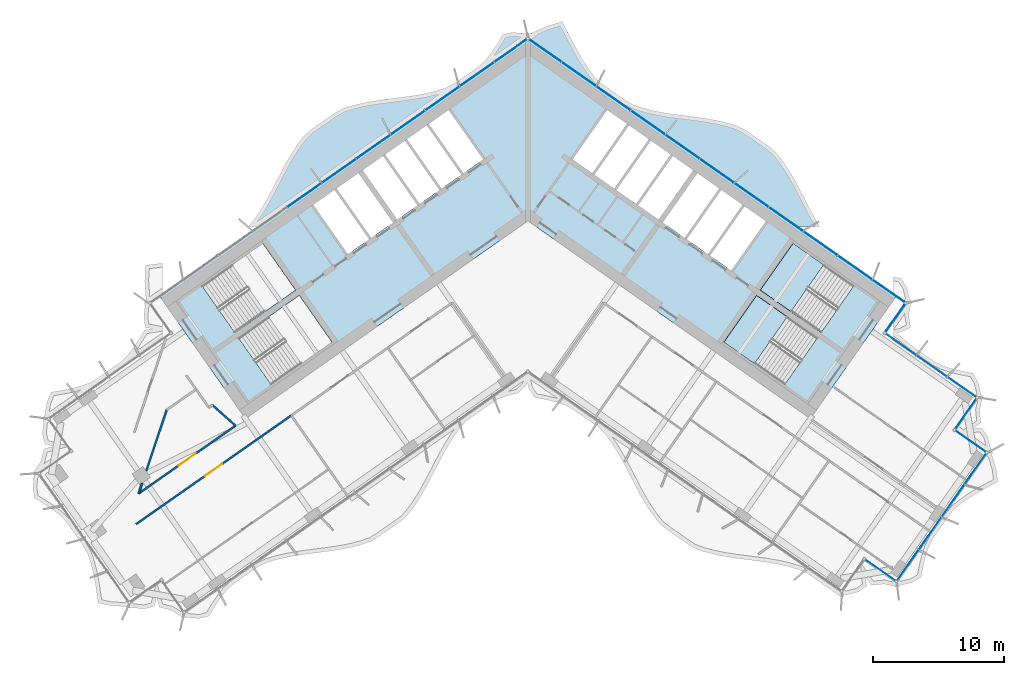
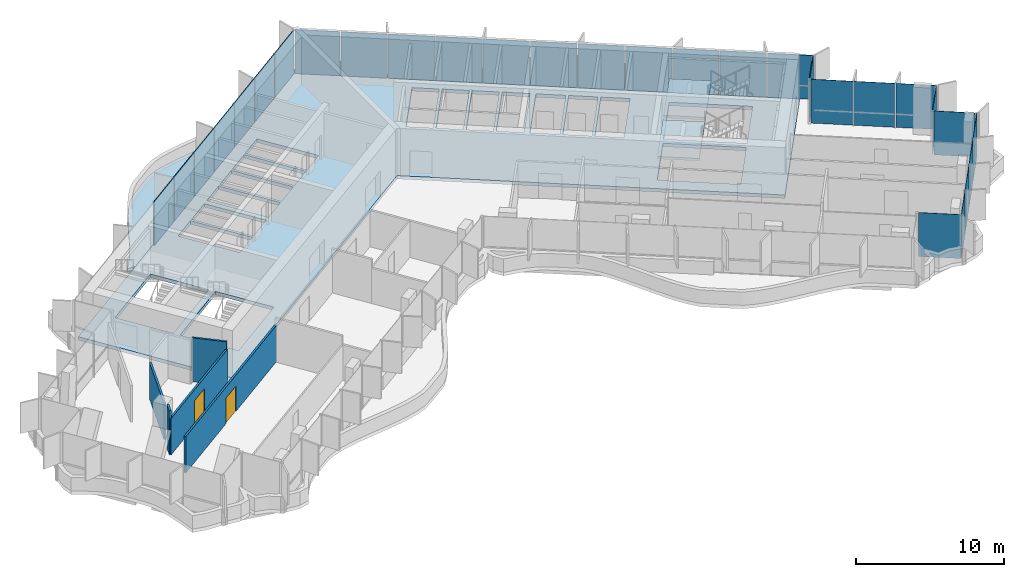
# One storey, part 13 of 23: 29 plates, 5 walls, 4 slabs, 2 doors, 2 openings, 4 elements without a shape of their own.
"""IFC4 building model written with IfcOpenShell, lengths in metres."""

import ifcopenshell
import ifcopenshell.guid

model = None  # the IFC model being written
_history = None  # IfcOwnerHistory: only IFC2X3 demands one
_inside = {}  # id of a spatial element -> (the spatial element, [elements in it])
_under = {}  # id of a project, library or spatial element -> (it, [spatial elements below it])
_declared = {}  # id of a project -> (the project, [libraries it declares])
_typed = {}  # id of a type object -> (the type object, [elements of that type])
_made_of = {}  # id of a material, layer set ... -> (it, [elements and type objects made of it])


def new_model(schema):
    """Start an empty IFC model of exactly this schema.

    Asked for "IFC4X3", IfcOpenShell would pick the latest addendum, in which some entities
    have other attributes; the version numbers below select the first issue.
    IFC2X3 requires an IfcOwnerHistory on every rooted entity: one is made here for all.
    """
    global model, _history
    if schema == "IFC4X3":
        model = ifcopenshell.file(schema_version=(4, 3, 0, 0))
    else:
        model = ifcopenshell.file(schema=schema)
    _inside.clear()
    _under.clear()
    _declared.clear()
    _typed.clear()
    _made_of.clear()
    _history = None
    if model.schema == "IFC2X3":
        org = make("IfcOrganization", Name="unknown")
        user = make(
            "IfcPersonAndOrganization",
            ThePerson=make("IfcPerson", FamilyName="unknown"),
            TheOrganization=org,
        )
        app = make(
            "IfcApplication",
            ApplicationDeveloper=org,
            Version="unknown",
            ApplicationFullName="unknown",
            ApplicationIdentifier="unknown",
        )
        _history = make(
            "IfcOwnerHistory",
            OwningUser=user,
            OwningApplication=app,
            ChangeAction="ADDED",
            CreationDate=0,
        )
    return model


def make(cls, **values):
    """One entity of the class cls with the attributes given. An attribute that is None is left unset."""
    return model.create_entity(
        cls, **{name: value for name, value in values.items() if value is not None}
    )


def rooted(cls, **values):
    """An entity with a GlobalId (a new one), such as an element, a storey or a relation."""
    return make(cls, GlobalId=ifcopenshell.guid.new(), OwnerHistory=_history, **values)


def si_unit(unit_type, name, prefix=None):
    """IfcSIUnit, for example si_unit("LENGTHUNIT", "METRE", prefix="MILLI")."""
    return make("IfcSIUnit", UnitType=unit_type, Prefix=prefix, Name=name)


def assignment(units):
    """IfcUnitAssignment: the units of a project."""
    return None if units is None else make("IfcUnitAssignment", Units=units)


def point(xyz):
    """IfcCartesianPoint."""
    return None if xyz is None else make("IfcCartesianPoint", Coordinates=xyz)


def direction(xyz):
    """IfcDirection."""
    return None if xyz is None else make("IfcDirection", DirectionRatios=xyz)


def frame(location, z_axis=None, x_axis=None):
    """IfcAxis2Placement3D, a coordinate frame: its origin and axes. An axis left out is left unset."""
    return make(
        "IfcAxis2Placement3D",
        Location=point(location),
        Axis=direction(z_axis),
        RefDirection=direction(x_axis),
    )


def frame_2d(location, x_axis=None):
    """IfcAxis2Placement2D, a coordinate frame in the plane: its origin and x axis."""
    return make(
        "IfcAxis2Placement2D", Location=point(location), RefDirection=direction(x_axis)
    )


def origin():
    """The frame at (0, 0, 0) with its axes left unset."""
    return frame((0.0, 0.0, 0.0))


def origin_2d():
    """The frame at (0, 0) in the plane with its x axis left unset."""
    return frame_2d((0.0, 0.0))


def place(relative_to, where):
    """IfcLocalPlacement: puts the frame where relative to a parent placement (None: the world)."""
    return make(
        "IfcLocalPlacement", PlacementRelTo=relative_to, RelativePlacement=where
    )


def context(
    kind, dimensions, precision=None, world=None, true_north=None, identifier=None
):
    """IfcGeometricRepresentationContext, for example the 3D "Model" context."""
    return make(
        "IfcGeometricRepresentationContext",
        ContextIdentifier=identifier,
        ContextType=kind,
        CoordinateSpaceDimension=dimensions,
        Precision=precision,
        WorldCoordinateSystem=world,
        TrueNorth=true_north,
    )


def subcontext(parent, identifier, kind, view, scale=None):
    """IfcGeometricRepresentationSubContext, for example "Body" below "Model"."""
    return make(
        "IfcGeometricRepresentationSubContext",
        ContextIdentifier=identifier,
        ContextType=kind,
        ParentContext=parent,
        TargetScale=scale,
        TargetView=view,
    )


def project(units=None, contexts=None):
    """IfcProject with its units and contexts."""
    return rooted(
        "IfcProject",
        Name="project",
        RepresentationContexts=contexts,
        UnitsInContext=assignment(units),
    )


def spatial(cls, under=None, at=None, **own):
    """A site, building, storey or space (cls), placed at a placement, below another one or the project."""
    s = rooted(cls, ObjectPlacement=at, **own)
    if under is not None:
        _under.setdefault(under.id(), (under, []))[1].append(s)
    return s


def polyline(points):
    """IfcPolyline through the points."""
    return make("IfcPolyline", Points=[point(p) for p in points])


def profile(cls, at=None, kind="AREA", **sizes):
    """A parametric profile (cls). Its sizes go by their IFC names, for example OverallWidth=200.0."""
    return make(cls, ProfileType=kind, Position=at, **sizes)


def rectangle(**sizes):
    """IfcRectangleProfileDef."""
    return profile("IfcRectangleProfileDef", **sizes)


def outline(outer, holes=None, kind="AREA"):
    """IfcArbitraryClosedProfileDef: a profile drawn as a closed curve; with holes, ...WithVoids."""
    if holes is None:
        return make("IfcArbitraryClosedProfileDef", ProfileType=kind, OuterCurve=outer)
    return make(
        "IfcArbitraryProfileDefWithVoids",
        ProfileType=kind,
        OuterCurve=outer,
        InnerCurves=holes,
    )


def extrude(swept, where, along, depth):
    """IfcExtrudedAreaSolid: the profile swept, set in the frame where, extruded along a direction by depth."""
    return make(
        "IfcExtrudedAreaSolid",
        SweptArea=swept,
        Position=where,
        ExtrudedDirection=direction(along),
        Depth=depth,
    )


def shape(context_of_items, identifier, shape_type, items):
    """IfcShapeRepresentation: the items that make up one representation, for example the "Body"."""
    return make(
        "IfcShapeRepresentation",
        ContextOfItems=context_of_items,
        RepresentationIdentifier=identifier,
        RepresentationType=shape_type,
        Items=items,
    )


def material(Name=None, Category=None):
    """IfcMaterial."""
    return make("IfcMaterial", Name=Name, Category=Category)


def layer(
    of_material, thickness, ventilated=None, Name=None, Category=None, Priority=None
):
    """IfcMaterialLayer: one layer of a wall or slab, of a material (None: an air gap)."""
    return make(
        "IfcMaterialLayer",
        Material=of_material,
        LayerThickness=thickness,
        IsVentilated=ventilated,
        Name=Name,
        Category=Category,
        Priority=Priority,
    )


def layer_set(layers, Name=None):
    """IfcMaterialLayerSet."""
    return make("IfcMaterialLayerSet", MaterialLayers=layers, LayerSetName=Name)


def made_of(thing, what):
    """Note that an element or type object is made of a material, layer set ...; save() writes the relation."""
    if what is not None:
        _made_of.setdefault(what.id(), (what, []))[1].append(thing)
    return thing


def type_object(cls, material=None, **own):
    """A type object (cls), such as IfcWallType, which elements share."""
    return made_of(rooted(cls, **own), material)


def element(
    cls,
    number,
    at=None,
    inside=None,
    cuts=None,
    type_object=None,
    material=None,
    context=None,
    identifier="Body",
    shape_type=None,
    held_by="IfcProductDefinitionShape",
    body=None,
    shapes=None,
    **own,
):
    """One element of the class cls, such as IfcWall. Its Tag is "e" and its number.

    at: its placement. inside: the storey or other place that contains it. cuts: it is an
    opening in that element (IfcRelVoidsElement). A single representation is given by context,
    identifier, shape_type and body (its items); several are given by shapes. held_by: the class
    of the entity that holds the representations. save() writes the other relations.
    """
    e = rooted(cls, Tag="e%d" % number, ObjectPlacement=at, **own)
    if body is not None:
        shapes = [shape(context, identifier, shape_type, body)]
    if shapes is not None:
        e.Representation = make(held_by, Representations=shapes)
    if inside is not None:
        _inside.setdefault(inside.id(), (inside, []))[1].append(e)
    if cuts is not None:
        rooted(
            "IfcRelVoidsElement", RelatingBuildingElement=cuts, RelatedOpeningElement=e
        )
    if type_object is not None:
        _typed.setdefault(type_object.id(), (type_object, []))[1].append(e)
    return made_of(e, material)


def fill(opening, filler):
    """IfcRelFillsElement: the door or window that sits in an opening."""
    return rooted(
        "IfcRelFillsElement",
        RelatingOpeningElement=opening,
        RelatedBuildingElement=filler,
    )


def aggregate(whole, parts):
    """IfcRelAggregates: a whole, such as a stair, and the parts it consists of."""
    return rooted("IfcRelAggregates", RelatingObject=whole, RelatedObjects=parts)


def save(model, path):
    """Write the relations noted so far, then the file.

    IfcRelAggregates (storeys below a building ...), IfcRelContainedInSpatialStructure (elements
    in a storey), IfcRelDefinesByType, IfcRelAssociatesMaterial and IfcRelDeclares: one each for
    every whole, place, type object, material and project.
    """
    for whole, parts in _under.values():
        aggregate(whole, parts)
    for where, things in _inside.values():
        rooted(
            "IfcRelContainedInSpatialStructure",
            RelatedElements=things,
            RelatingStructure=where,
        )
    for kind, things in _typed.values():
        rooted("IfcRelDefinesByType", RelatedObjects=things, RelatingType=kind)
    for what, things in _made_of.values():
        rooted("IfcRelAssociatesMaterial", RelatedObjects=things, RelatingMaterial=what)
    for by, libraries in _declared.values():
        rooted("IfcRelDeclares", RelatingContext=by, RelatedDefinitions=libraries)
    model.write(path)


model = new_model("IFC4")

# Units and contexts
model_context = context("Model", 3, precision=1e-05, world=origin(), true_north=direction((0.0, 1.0)))
body_context = subcontext(model_context, "Body", "Model", "MODEL_VIEW")
ifc_project = project(units=[si_unit("LENGTHUNIT", "METRE"), si_unit("AREAUNIT", "SQUARE_METRE"), si_unit("VOLUMEUNIT", "CUBIC_METRE"), si_unit("PLANEANGLEUNIT", "RADIAN"), si_unit("MASSUNIT", "GRAM", prefix="KILO")], contexts=[model_context])

# Site, building, storey
site_placement = place(None, origin())
site = spatial("IfcSite", under=ifc_project, at=site_placement, CompositionType="ELEMENT")
building_placement = place(site_placement, origin())
building = spatial("IfcBuilding", under=site, at=building_placement, Name="Tel Ilan Convention Tower", CompositionType="ELEMENT")
storey_placement = place(building_placement, frame((0.0, 0.0, 198.300048828125)))
storey = spatial("IfcBuildingStorey", under=building, at=storey_placement, Name="L46", CompositionType="ELEMENT", Elevation=198.300048828125)

# Curtain wall, plates
ifc_material_1 = material(Name="Aluminium, bronze anodised", Category="aluminium")
curtain_wall_type_1 = type_object("IfcCurtainWallType", Name="CW4 STICK CURTAIN WALL, OFFICE TINTED GLASS", PredefinedType="NOTDEFINED", material=ifc_material_1)
curtain_wall_1_placement = place(storey_placement, origin())
curtain_wall_1 = element("IfcCurtainWall", 1, at=curtain_wall_1_placement, inside=storey, type_object=curtain_wall_type_1, Name="Curtain wall CW4-36.02", PredefinedType="NOTDEFINED")
ifc_material_2 = material(Name="Glass, bronze tinted, two-ply", Category="glass")
ifc_layer_1 = layer(ifc_material_2, 0.028076171875)
ifc_layer_set_1 = layer_set([ifc_layer_1], Name="CW GLASS PANEL 28")
plate_type_1 = type_object("IfcPlateType", Name="CW GLASS PANEL 28", PredefinedType="CURTAIN_PANEL", material=ifc_layer_set_1)
plate_1_placement = place(storey_placement, frame((26.914794921875, -27.879638671875, 0.0), z_axis=(0.0, 0.0, 1.0), x_axis=(0.819152044289, -0.573576436351, 0.0)))
plate_1 = element("IfcPlate", 2, at=plate_1_placement, type_object=plate_type_1, Name="Glass panel", PredefinedType="CURTAIN_PANEL", context=body_context, shape_type="SweptSolid", body=[
    extrude(rectangle(XDim=2.875, YDim=0.028076171875, at=origin_2d()), origin(), (0.0, 0.0, 1.0), 3.6201171875),
])
plate_2_placement = place(storey_placement, frame((28.956298828125, -27.51220703125, 0.0), z_axis=(0.0, 0.0, 1.0), x_axis=(0.573576436351, 0.819152044289, 0.0)))
plate_2 = element("IfcPlate", 3, at=plate_2_placement, type_object=plate_type_1, Name="Glass panel", PredefinedType="CURTAIN_PANEL", context=body_context, shape_type="SweptSolid", body=[
    extrude(rectangle(XDim=2.89599609375, YDim=0.028076171875, at=origin_2d()), origin(), (0.0, 0.0, 1.0), 3.6201171875),
])
plate_3_placement = place(storey_placement, frame((30.6787109375, -25.05224609375, 0.0), z_axis=(0.0, 0.0, 1.0), x_axis=(0.573576436351, 0.819152044289, 0.0)))
plate_3 = element("IfcPlate", 4, at=plate_3_placement, type_object=plate_type_1, Name="Glass panel", PredefinedType="CURTAIN_PANEL", context=body_context, shape_type="SweptSolid", body=[
    extrude(rectangle(XDim=2.989990234375, YDim=0.028076171875, at=origin_2d()), origin(), (0.0, 0.0, 1.0), 3.6201171875),
])
plate_4_placement = place(storey_placement, frame((32.42822265625, -22.553955078125, 0.0), z_axis=(0.0, 0.0, 1.0), x_axis=(0.573576436351, 0.819152044289, 0.0)))
plate_4 = element("IfcPlate", 5, at=plate_4_placement, type_object=plate_type_1, Name="Glass panel", PredefinedType="CURTAIN_PANEL", context=body_context, shape_type="SweptSolid", body=[
    extrude(rectangle(XDim=2.989990234375, YDim=0.028076171875, at=origin_2d()), origin(), (0.0, 0.0, 1.0), 3.6201171875),
])
plate_5_placement = place(storey_placement, frame((34.150634765625, -20.093994140625, 0.0), z_axis=(0.0, 0.0, 1.0), x_axis=(0.573576436351, 0.819152044289, 0.0)))
plate_5 = element("IfcPlate", 6, at=plate_5_placement, type_object=plate_type_1, Name="Glass panel", PredefinedType="CURTAIN_PANEL", context=body_context, shape_type="SweptSolid", body=[
    extrude(rectangle(XDim=2.89599609375, YDim=0.028076171875, at=origin_2d()), origin(), (0.0, 0.0, 1.0), 3.6201171875),
])
plate_6_placement = place(storey_placement, frame((33.7978515625, -18.0498046875, 0.0), z_axis=(0.0, 0.0, 1.0), x_axis=(-0.819152044289, 0.573576436351, 0.0)))
plate_6 = element("IfcPlate", 7, at=plate_6_placement, type_object=plate_type_1, Name="Glass panel", PredefinedType="CURTAIN_PANEL", context=body_context, shape_type="SweptSolid", body=[
    extrude(rectangle(XDim=2.875, YDim=0.028076171875, at=origin_2d()), origin(), (0.0, 0.0, 1.0), 3.6201171875),
])
plate_7_placement = place(storey_placement, frame((33.419921875, -15.9072265625, 0.0), z_axis=(0.0, 0.0, 1.0), x_axis=(0.573576436351, 0.819152044289, 0.0)))
plate_7 = element("IfcPlate", 8, at=plate_7_placement, type_object=plate_type_1, Name="Glass panel", PredefinedType="CURTAIN_PANEL", context=body_context, shape_type="SweptSolid", body=[
    extrude(rectangle(XDim=2.875, YDim=0.028076171875, at=origin_2d()), origin(), (0.0, 0.0, 1.0), 3.6201171875),
])
plate_8_placement = place(storey_placement, frame((33.12744140625, -13.918212890625, 0.0), z_axis=(0.0, 0.0, 1.0), x_axis=(-0.819152044289, 0.573576436351, 0.0)))
plate_8 = element("IfcPlate", 9, at=plate_8_placement, type_object=plate_type_1, Name="Glass panel", PredefinedType="CURTAIN_PANEL", context=body_context, shape_type="SweptSolid", body=[
    extrude(rectangle(XDim=2.712646484375, YDim=0.028076171875, at=origin_2d()), origin(), (0.0, 0.0, 1.0), 3.6201171875),
])
plate_9_placement = place(storey_placement, frame((30.81787109375, -12.301025390625, 0.0), z_axis=(0.0, 0.0, 1.0), x_axis=(-0.819152044289, 0.573576436351, 0.0)))
plate_9 = element("IfcPlate", 10, at=plate_9_placement, type_object=plate_type_1, Name="Glass panel", PredefinedType="CURTAIN_PANEL", context=body_context, shape_type="SweptSolid", body=[
    extrude(rectangle(XDim=2.806640625, YDim=0.028076171875, at=origin_2d()), origin(), (0.0, 0.0, 1.0), 3.6201171875),
])
plate_10_placement = place(storey_placement, frame((28.457763671875, -10.6484375, 0.0), z_axis=(0.0, 0.0, 1.0), x_axis=(-0.819152044289, 0.573576436351, 0.0)))
plate_10 = element("IfcPlate", 11, at=plate_10_placement, type_object=plate_type_1, Name="Glass panel", PredefinedType="CURTAIN_PANEL", context=body_context, shape_type="SweptSolid", body=[
    extrude(rectangle(XDim=2.835693359375, YDim=0.028076171875, at=origin_2d()), origin(), (0.0, 0.0, 1.0), 3.6201171875),
])
aggregate(curtain_wall_1, [plate_1, plate_2, plate_3, plate_4, plate_5, plate_6, plate_7, plate_8, plate_9, plate_10])

ifc_material_3 = material(Name="Aluminium, bronze anodised", Category="aluminium")
curtain_wall_type_2 = type_object("IfcCurtainWallType", Name="CW2 STICK CURTAIN WALL, SPANDREL PANELS", PredefinedType="NOTDEFINED", material=ifc_material_3)
curtain_wall_2_placement = place(storey_placement, origin())
curtain_wall_2 = element("IfcCurtainWall", 12, at=curtain_wall_2_placement, inside=storey, type_object=curtain_wall_type_2, Name="Curtain wall CW2-36.01", PredefinedType="NOTDEFINED")
ifc_material_4 = material(Name="Aluminium composite panel, bronze anodised", Category="aluminium")
ifc_layer_2 = layer(ifc_material_4, 0.06005859375)
ifc_layer_set_2 = layer_set([ifc_layer_2], Name="CW SPANDREL PANEL 60")
plate_type_2 = type_object("IfcPlateType", Name="CW SPANDREL PANEL 60", PredefinedType="CURTAIN_PANEL", material=ifc_layer_set_2)
plate_11_placement = place(storey_placement, frame((28.033935546875, -8.60546875, 0.0), z_axis=(0.0, 0.0, 1.0), x_axis=(0.573576436351, 0.819152044289, 0.0)))
plate_11 = element("IfcPlate", 13, at=plate_11_placement, type_object=plate_type_2, Name="Spandrel panel", PredefinedType="CURTAIN_PANEL", context=body_context, shape_type="SweptSolid", body=[
    extrude(rectangle(XDim=2.658935546875, YDim=0.06005859375, at=origin_2d()), origin(), (0.0, 0.0, 1.0), 3.6201171875),
])
plate_12_placement = place(storey_placement, frame((27.5400390625, -6.587646484375, 0.0), z_axis=(0.0, 0.0, 1.0), x_axis=(-0.819152044289, 0.573576436351, 0.0)))
plate_12 = element("IfcPlate", 14, at=plate_12_placement, type_object=plate_type_2, Name="Spandrel panel", PredefinedType="CURTAIN_PANEL", context=body_context, shape_type="SweptSolid", body=[
    extrude(rectangle(XDim=3.0439453125, YDim=0.06005859375, at=origin_2d()), origin(), (0.0, 0.0, 1.0), 3.6201171875),
])
plate_13_placement = place(storey_placement, frame((24.95263671875, -4.77587890625, 0.0), z_axis=(0.0, 0.0, 1.0), x_axis=(-0.819152044289, 0.573576436351, 0.0)))
plate_13 = element("IfcPlate", 15, at=plate_13_placement, type_object=plate_type_2, Name="Spandrel panel", PredefinedType="CURTAIN_PANEL", context=body_context, shape_type="SweptSolid", body=[
    extrude(rectangle(XDim=3.15380859375, YDim=0.06005859375, at=origin_2d()), origin(), (0.0, 0.0, 1.0), 3.6201171875),
])
plate_14_placement = place(storey_placement, frame((22.31982421875, -2.9326171875, 0.0), z_axis=(0.0, 0.0, 1.0), x_axis=(-0.819152044289, 0.573576436351, 0.0)))
plate_14 = element("IfcPlate", 16, at=plate_14_placement, type_object=plate_type_2, Name="Spandrel panel", PredefinedType="CURTAIN_PANEL", context=body_context, shape_type="SweptSolid", body=[
    extrude(rectangle(XDim=3.15380859375, YDim=0.06005859375, at=origin_2d()), origin(), (0.0, 0.0, 1.0), 3.6201171875),
])
plate_15_placement = place(storey_placement, frame((19.687255859375, -1.089111328125, 0.0), z_axis=(0.0, 0.0, 1.0), x_axis=(-0.819152044289, 0.573576436351, 0.0)))
plate_15 = element("IfcPlate", 17, at=plate_15_placement, type_object=plate_type_2, Name="Spandrel panel", PredefinedType="CURTAIN_PANEL", context=body_context, shape_type="SweptSolid", body=[
    extrude(rectangle(XDim=3.15380859375, YDim=0.06005859375, at=origin_2d()), origin(), (0.0, 0.0, 1.0), 3.6201171875),
])
plate_16_placement = place(storey_placement, frame((17.0546875, 0.754150390625, 0.0), z_axis=(0.0, 0.0, 1.0), x_axis=(-0.819152044289, 0.573576436351, 0.0)))
plate_16 = element("IfcPlate", 18, at=plate_16_placement, type_object=plate_type_2, Name="Spandrel panel", PredefinedType="CURTAIN_PANEL", context=body_context, shape_type="SweptSolid", body=[
    extrude(rectangle(XDim=3.15380859375, YDim=0.06005859375, at=origin_2d()), origin(), (0.0, 0.0, 1.0), 3.6201171875),
])
plate_17_placement = place(storey_placement, frame((14.422119140625, 2.59765625, 0.0), z_axis=(0.0, 0.0, 1.0), x_axis=(-0.819152044289, 0.573576436351, 0.0)))
plate_17 = element("IfcPlate", 19, at=plate_17_placement, type_object=plate_type_2, Name="Spandrel panel", PredefinedType="CURTAIN_PANEL", context=body_context, shape_type="SweptSolid", body=[
    extrude(rectangle(XDim=3.15380859375, YDim=0.06005859375, at=origin_2d()), origin(), (0.0, 0.0, 1.0), 3.6201171875),
])
plate_18_placement = place(storey_placement, frame((11.789306640625, 4.44091796875, 0.0), z_axis=(0.0, 0.0, 1.0), x_axis=(-0.819152044289, 0.573576436351, 0.0)))
plate_18 = element("IfcPlate", 20, at=plate_18_placement, type_object=plate_type_2, Name="Spandrel panel", PredefinedType="CURTAIN_PANEL", context=body_context, shape_type="SweptSolid", body=[
    extrude(rectangle(XDim=3.15380859375, YDim=0.06005859375, at=origin_2d()), origin(), (0.0, 0.0, 1.0), 3.6201171875),
])
plate_19_placement = place(storey_placement, frame((9.15673828125, 6.284423828125, 0.0), z_axis=(0.0, 0.0, 1.0), x_axis=(-0.819152044289, 0.573576436351, 0.0)))
plate_19 = element("IfcPlate", 21, at=plate_19_placement, type_object=plate_type_2, Name="Spandrel panel", PredefinedType="CURTAIN_PANEL", context=body_context, shape_type="SweptSolid", body=[
    extrude(rectangle(XDim=3.15380859375, YDim=0.06005859375, at=origin_2d()), origin(), (0.0, 0.0, 1.0), 3.6201171875),
])
plate_20_placement = place(storey_placement, frame((6.524169921875, 8.127685546875, 0.0), z_axis=(0.0, 0.0, 1.0), x_axis=(-0.819152044289, 0.573576436351, 0.0)))
plate_20 = element("IfcPlate", 22, at=plate_20_placement, type_object=plate_type_2, Name="Spandrel panel", PredefinedType="CURTAIN_PANEL", context=body_context, shape_type="SweptSolid", body=[
    extrude(rectangle(XDim=3.15380859375, YDim=0.06005859375, at=origin_2d()), origin(), (0.0, 0.0, 1.0), 3.6201171875),
])
plate_21_placement = place(storey_placement, frame((3.8916015625, 9.97119140625, 0.0), z_axis=(0.0, 0.0, 1.0), x_axis=(-0.819152044289, 0.573576436351, 0.0)))
plate_21 = element("IfcPlate", 23, at=plate_21_placement, type_object=plate_type_2, Name="Spandrel panel", PredefinedType="CURTAIN_PANEL", context=body_context, shape_type="SweptSolid", body=[
    extrude(rectangle(XDim=3.15380859375, YDim=0.06005859375, at=origin_2d()), origin(), (0.0, 0.0, 1.0), 3.6201171875),
])
plate_22_placement = place(storey_placement, frame((1.303955078125, 11.782958984375, 0.0), z_axis=(0.0, 0.0, 1.0), x_axis=(-0.819152044289, 0.573576436351, 0.0)))
plate_22 = element("IfcPlate", 24, at=plate_22_placement, type_object=plate_type_2, Name="Spandrel panel", PredefinedType="CURTAIN_PANEL", context=body_context, shape_type="SweptSolid", body=[
    extrude(rectangle(XDim=3.0439453125, YDim=0.06005859375, at=origin_2d()), origin(), (0.0, 0.0, 1.0), 3.6201171875),
])
plate_23_placement = place(storey_placement, frame((-1.303955078125, 11.782958984375, 0.0), z_axis=(0.0, 0.0, 1.0), x_axis=(-0.819152044289, -0.573576436351, 0.0)))
plate_23 = element("IfcPlate", 25, at=plate_23_placement, type_object=plate_type_2, Name="Spandrel panel", PredefinedType="CURTAIN_PANEL", context=body_context, shape_type="SweptSolid", body=[
    extrude(rectangle(XDim=3.0439453125, YDim=0.06005859375, at=origin_2d()), origin(), (0.0, 0.0, 1.0), 3.6201171875),
])
plate_24_placement = place(storey_placement, frame((-3.8916015625, 9.97119140625, 0.0), z_axis=(0.0, 0.0, 1.0), x_axis=(-0.819152044289, -0.573576436351, 0.0)))
plate_24 = element("IfcPlate", 26, at=plate_24_placement, type_object=plate_type_2, Name="Spandrel panel", PredefinedType="CURTAIN_PANEL", context=body_context, shape_type="SweptSolid", body=[
    extrude(rectangle(XDim=3.15380859375, YDim=0.06005859375, at=origin_2d()), origin(), (0.0, 0.0, 1.0), 3.6201171875),
])
plate_25_placement = place(storey_placement, frame((-6.524169921875, 8.127685546875, 0.0), z_axis=(0.0, 0.0, 1.0), x_axis=(-0.819152044289, -0.573576436351, 0.0)))
plate_25 = element("IfcPlate", 27, at=plate_25_placement, type_object=plate_type_2, Name="Spandrel panel", PredefinedType="CURTAIN_PANEL", context=body_context, shape_type="SweptSolid", body=[
    extrude(rectangle(XDim=3.15380859375, YDim=0.06005859375, at=origin_2d()), origin(), (0.0, 0.0, 1.0), 3.6201171875),
])
plate_26_placement = place(storey_placement, frame((-9.15673828125, 6.284423828125, 0.0), z_axis=(0.0, 0.0, 1.0), x_axis=(-0.819152044289, -0.573576436351, 0.0)))
plate_26 = element("IfcPlate", 28, at=plate_26_placement, type_object=plate_type_2, Name="Spandrel panel", PredefinedType="CURTAIN_PANEL", context=body_context, shape_type="SweptSolid", body=[
    extrude(rectangle(XDim=3.15380859375, YDim=0.06005859375, at=origin_2d()), origin(), (0.0, 0.0, 1.0), 3.6201171875),
])
plate_27_placement = place(storey_placement, frame((-11.789306640625, 4.44091796875, 0.0), z_axis=(0.0, 0.0, 1.0), x_axis=(-0.819152044289, -0.573576436351, 0.0)))
plate_27 = element("IfcPlate", 29, at=plate_27_placement, type_object=plate_type_2, Name="Spandrel panel", PredefinedType="CURTAIN_PANEL", context=body_context, shape_type="SweptSolid", body=[
    extrude(rectangle(XDim=3.15380859375, YDim=0.06005859375, at=origin_2d()), origin(), (0.0, 0.0, 1.0), 3.6201171875),
])
plate_28_placement = place(storey_placement, frame((-14.422119140625, 2.59765625, 0.0), z_axis=(0.0, 0.0, 1.0), x_axis=(-0.819152044289, -0.573576436351, 0.0)))
plate_28 = element("IfcPlate", 30, at=plate_28_placement, type_object=plate_type_2, Name="Spandrel panel", PredefinedType="CURTAIN_PANEL", context=body_context, shape_type="SweptSolid", body=[
    extrude(rectangle(XDim=3.15380859375, YDim=0.06005859375, at=origin_2d()), origin(), (0.0, 0.0, 1.0), 3.6201171875),
])
plate_29_placement = place(storey_placement, frame((-17.0546875, 0.754150390625, 0.0), z_axis=(0.0, 0.0, 1.0), x_axis=(-0.819152044289, -0.573576436351, 0.0)))
plate_29 = element("IfcPlate", 31, at=plate_29_placement, type_object=plate_type_2, Name="Spandrel panel", PredefinedType="CURTAIN_PANEL", context=body_context, shape_type="SweptSolid", body=[
    extrude(rectangle(XDim=3.15380859375, YDim=0.06005859375, at=origin_2d()), origin(), (0.0, 0.0, 1.0), 3.6201171875),
])
aggregate(curtain_wall_2, [plate_11, plate_12, plate_13, plate_14, plate_15, plate_16, plate_17, plate_18, plate_19, plate_20, plate_21, plate_22, plate_23, plate_24, plate_25, plate_26, plate_27, plate_28, plate_29])

# Stair, slab
ifc_material_5 = material(Name="Concrete C40/50", Category="concrete")
stair_type = type_object("IfcStairType", Name="Pressurised Exit Stair 22 risers 177 mm", PredefinedType="HALF_TURN_STAIR", material=ifc_material_5)
stair_1_placement = place(storey_placement, origin())
stair_1 = element("IfcStair", 32, at=stair_1_placement, inside=storey, type_object=stair_type, Name="L46 Pressurised Stair S3", PredefinedType="HALF_TURN_STAIR")
ifc_material_6 = material(Name="Concrete C40/50", Category="concrete")
ifc_layer_3 = layer(ifc_material_6, 0.199951171875)
ifc_layer_set_3 = layer_set([ifc_layer_3], Name="Concrete Stair Landing 200 mm C40/50")
slab_type_1 = type_object("IfcSlabType", Name="Concrete Stair Landing 200 mm", PredefinedType="LANDING", material=ifc_layer_set_3)
slab_1_placement = place(storey_placement, frame((0.0, 0.0, 1.75)))
slab_1 = element("IfcSlab", 33, at=slab_1_placement, type_object=slab_type_1, Name="S3 landing 1", PredefinedType="LANDING", context=body_context, shape_type="SweptSolid", body=[
    extrude(outline(polyline([(22.561767578125, -4.566650390625), (20.226318359375, -2.931640625), (17.7314453125, -6.494873046875), (20.066650390625, -8.130126953125), (22.561767578125, -4.566650390625)])), origin(), (0.0, 0.0, 1.0), 0.199951171875),
])
aggregate(stair_1, [slab_1])

stair_2_placement = place(storey_placement, origin())
stair_2 = element("IfcStair", 34, at=stair_2_placement, inside=storey, type_object=stair_type, Name="L46 Pressurised Stair S4", PredefinedType="HALF_TURN_STAIR")
slab_2_placement = place(storey_placement, frame((0.0, 0.0, 1.75)))
slab_2 = element("IfcSlab", 35, at=slab_2_placement, type_object=slab_type_1, Name="S4 landing 1", PredefinedType="LANDING", context=body_context, shape_type="SweptSolid", body=[
    extrude(outline(polyline([(19.77978515625, -8.53955078125), (17.444580078125, -6.904541015625), (14.949462890625, -10.4677734375), (17.28466796875, -12.10302734375), (19.77978515625, -8.53955078125)])), origin(), (0.0, 0.0, 1.0), 0.199951171875),
])
aggregate(stair_2, [slab_2])

# Slabs
ifc_material_7 = material(Name="Concrete C40/50", Category="concrete")
ifc_layer_4 = layer(ifc_material_7, 0.280029296875)
ifc_layer_set_4 = layer_set([ifc_layer_4], Name="Core Floor Slab 280 mm C40/50")
slab_type_2 = type_object("IfcSlabType", Name="Core Floor Slab 280 mm C40/50", PredefinedType="FLOOR", material=ifc_layer_set_4)
slab_3_placement = place(storey_placement, frame((0.0, 0.0, -0.280029296875)))
element("IfcSlab", 36, at=slab_3_placement, inside=storey, type_object=slab_type_2, Name="L46 core floor 1", PredefinedType="FLOOR", context=body_context, shape_type="SweptSolid", body=[
    extrude(outline(polyline([(0.0, 12.818115234375), (28.1396484375, -6.885498046875), (21.54345703125, -16.3056640625), (0.0, -1.220703125), (-21.54345703125, -16.3056640625), (-28.1396484375, -6.885498046875), (-13.013916015625, 3.705810546875), (-6.48876953125, 8.274658203125), (-4.6650390625, 9.5517578125), (-0.2412109375, 12.6494140625), (0.0, 12.818115234375)]), holes=[polyline([(-14.949462890625, -10.4677734375), (-17.444580078125, -6.904541015625), (-22.072021484375, -10.144775390625), (-19.5771484375, -13.7080078125), (-14.949462890625, -10.4677734375)]), polyline([(-17.7314453125, -6.494873046875), (-20.226318359375, -2.931640625), (-24.85400390625, -6.171875), (-22.35888671875, -9.735107421875), (-17.7314453125, -6.494873046875)]), polyline([(-14.75048828125, 1.14697265625), (-16.368408203125, 0.01416015625), (-13.729736328125, -3.75390625), (-12.112060546875, -2.62109375), (-14.75048828125, 1.14697265625)]), polyline([(-12.927734375, 2.423095703125), (-14.586669921875, 1.26171875), (-11.947998046875, -2.506591796875), (-10.289306640625, -1.344970703125), (-12.927734375, 2.423095703125)]), polyline([(-11.053955078125, 3.735107421875), (-12.60009765625, 2.652587890625), (-9.961669921875, -1.115478515625), (-8.41552734375, -0.032958984375), (-11.053955078125, 3.735107421875)]), polyline([(-9.385009765625, 4.90380859375), (-10.89013671875, 3.849853515625), (-8.251708984375, 0.081787109375), (-6.74658203125, 1.1357421875), (-9.385009765625, 4.90380859375)]), polyline([(-7.716064453125, 6.072509765625), (-9.22119140625, 5.0185546875), (-6.582763671875, 1.25048828125), (-5.077392578125, 2.304443359375), (-7.716064453125, 6.072509765625)]), polyline([(-6.046875, 7.2412109375), (-7.552001953125, 6.187255859375), (-4.913818359375, 2.419189453125), (-3.408447265625, 3.47314453125), (-6.046875, 7.2412109375)]), polyline([(4.913818359375, 2.419189453125), (7.552001953125, 6.187255859375), (6.046875, 7.2412109375), (3.408447265625, 3.47314453125), (4.913818359375, 2.419189453125)]), polyline([(17.444580078125, -6.904541015625), (14.949462890625, -10.4677734375), (19.5771484375, -13.7080078125), (22.072021484375, -10.144775390625), (17.444580078125, -6.904541015625)]), polyline([(20.226318359375, -2.931640625), (17.7314453125, -6.494873046875), (22.35888671875, -9.735107421875), (24.85400390625, -6.171875), (20.226318359375, -2.931640625)]), polyline([(15.511474609375, -5.00146484375), (18.14990234375, -1.2333984375), (16.531982421875, -0.1005859375), (13.8935546875, -3.86865234375), (15.511474609375, -5.00146484375)]), polyline([(13.729736328125, -3.75390625), (16.368408203125, 0.01416015625), (14.75048828125, 1.14697265625), (12.112060546875, -2.62109375), (13.729736328125, -3.75390625)]), polyline([(11.947998046875, -2.506591796875), (14.586669921875, 1.26171875), (12.927734375, 2.423095703125), (10.289306640625, -1.344970703125), (11.947998046875, -2.506591796875)]), polyline([(9.961669921875, -1.115478515625), (12.60009765625, 2.652587890625), (11.053955078125, 3.735107421875), (8.41552734375, -0.032958984375), (9.961669921875, -1.115478515625)]), polyline([(6.74658203125, 1.1357421875), (8.251708984375, 0.081787109375), (10.89013671875, 3.849853515625), (9.385009765625, 4.90380859375), (6.74658203125, 1.1357421875)]), polyline([(5.077392578125, 2.304443359375), (6.582763671875, 1.25048828125), (9.22119140625, 5.0185546875), (7.716064453125, 6.072509765625), (5.077392578125, 2.304443359375)])]), origin(), (0.0, 0.0, 1.0), 0.280029296875),
])
ifc_material_8 = material(Name="Concrete C40/50", Category="concrete")
ifc_layer_5 = layer(ifc_material_8, 0.280029296875)
ifc_layer_set_5 = layer_set([ifc_layer_5], Name="Edge Ledge Slab 280 mm C40/50")
slab_type_3 = type_object("IfcSlabType", Name="Edge Ledge Slab 280 mm C40/50", PredefinedType="FLOOR", material=ifc_layer_set_5)
slab_4_placement = place(storey_placement, frame((0.0, 0.0, -0.280029296875)))
element("IfcSlab", 37, at=slab_4_placement, inside=storey, type_object=slab_type_3, Name="L46 edge ledge 2", PredefinedType="FLOOR", context=body_context, shape_type="SweptSolid", body=[
    extrude(outline(polyline([(-19.60009765625, 1.004150390625), (-19.217529296875, 1.741943359375), (-18.83642578125, 2.481689453125), (-18.44677734375, 3.209228515625), (-18.0390625, 3.910888671875), (-17.604736328125, 4.574951171875), (-17.13671875, 5.190185546875), (-16.6015625, 5.71044921875), (-14.791748046875, 6.977783203125), (-14.1416015625, 7.33349609375), (-13.41064453125, 7.573486328125), (-12.644287109375, 7.76318359375), (-11.849853515625, 7.91259765625), (-11.03564453125, 8.033935546875), (-10.211181640625, 8.140380859375), (-9.385986328125, 8.24609375), (-8.570068359375, 8.36474609375), (-7.7724609375, 8.509765625), (-7.002197265625, 8.693603515625), (-6.26611328125, 8.926513671875), (-5.601806640625, 9.261962890625), (-3.7919921875, 10.529296875), (-3.2421875, 11.0283203125), (-2.769287109375, 11.63671875), (-2.3310546875, 12.294921875), (-1.919921875, 12.991943359375), (-1.14208984375, 13.1650390625), (-0.172119140625, 13.06396484375), (-0.168701171875, 13.05908203125), (-0.11474609375, 13.09521484375), (0.0, 13.1181640625), (0.11474609375, 13.09521484375), (0.168701171875, 13.05908203125), (0.172119140625, 13.06396484375), (1.4794921875, 13.647216796875), (2.6162109375, 13.986328125), (3.000244140625, 13.250732421875), (3.38134765625, 12.510986328125), (3.770263671875, 11.7822265625), (4.176513671875, 11.078369140625), (4.608642578125, 10.41162109375), (5.074462890625, 9.792724609375), (5.601806640625, 9.261962890625), (7.411865234375, 7.99462890625), (8.054931640625, 7.62890625), (8.783447265625, 7.385498046875), (9.547607421875, 7.19287109375), (10.340576171875, 7.041015625), (11.15380859375, 6.91845703125), (11.977783203125, 6.811279296875), (12.80322265625, 6.7060546875), (13.6201171875, 6.588623046875), (14.419189453125, 6.44580078125), (15.191650390625, 6.2646484375), (15.929931640625, 6.03515625), (16.6015625, 5.71044921875), (18.41162109375, 4.443115234375), (18.96826171875, 3.9541015625), (19.44384765625, 3.34912109375), (19.884033203125, 2.69384765625), (20.296142578125, 1.998291015625), (20.688720703125, 1.27490234375), (21.07080078125, 0.53662109375), (21.4521484375, -0.202880859375), (21.8427734375, -0.928955078125), (22.25341796875, -1.631591796875), (20.63623046875, -1.631591796875), (0.0, 12.818115234375), (-0.2412109375, 12.6494140625), (-12.932373046875, 3.7626953125), (-20.63623046875, -1.631591796875), (-21.30126953125, -1.631591796875), (-20.849609375, -1.0634765625), (-20.4072265625, -0.4111328125), (-19.993408203125, 0.281982421875), (-19.60009765625, 1.004150390625)])), origin(), (0.0, 0.0, 1.0), 0.280029296875),
])

# Wall, opening, door
ifc_material_9 = material(Name="Plasterboard on Steel Studs", Category="steel")
ifc_layer_6 = layer(ifc_material_9, 0.14990234375)
ifc_layer_set_6 = layer_set([ifc_layer_6], Name="Fire-rated Partition 150 EI 60")
wall_type = type_object("IfcWallType", Name="Fire-rated Partition 150 EI 60", PredefinedType="PARTITIONING", material=ifc_layer_set_6)
wall_1_placement = place(storey_placement, frame((-29.693603515625, -22.012451171875, 0.0), z_axis=(0.0, 0.0, 1.0), x_axis=(0.819158214068, 0.573567624893, 0.0)))
wall_1 = element("IfcWall", 38, at=wall_1_placement, inside=storey, type_object=wall_type, Name="Partition 006", PredefinedType="PARTITIONING", context=body_context, shape_type="SweptSolid", body=[
    extrude(rectangle(XDim=9.0263671875, YDim=0.14990234375, at=frame_2d((4.51318359375, 0.0))), origin(), (0.0, 0.0, 1.0), 3.0),
])
opening_1_placement = place(wall_1_placement, frame((3.713134765625, 0.0, 0.0)))
opening_1 = element("IfcOpeningElement", 39, at=opening_1_placement, cuts=wall_1, Name="Opening L46-006", PredefinedType="OPENING", context=body_context, shape_type="SweptSolid", body=[
    extrude(rectangle(XDim=1.60009765625, YDim=2.10009765625, at=frame_2d((0.800048828125, 1.050048828125))), frame((0.0, 0.0849609375, 0.0), z_axis=(0.0, -1.0, 0.0), x_axis=(1.0, 0.0, 0.0)), (0.0, 0.0, 1.0), 0.169921875),
])
ifc_material_10 = material(Name="Timber Door Leaf in Steel Frame", Category="steel")
door_type = type_object("IfcDoorType", Name="Tenant Suite Entrance Fire Door 1600x2100", OperationType="NOTDEFINED", PredefinedType="DOOR", material=ifc_material_10)
door_1_placement = place(opening_1_placement, origin())
door_1 = element("IfcDoor", 40, at=door_1_placement, inside=storey, type_object=door_type, Name="Door L46-006", OperationType="DOUBLE_DOOR_SINGLE_SWING", OverallHeight=2.10009765625, OverallWidth=1.60009765625, PredefinedType="DOOR", context=body_context, shape_type="SweptSolid", body=[
    extrude(rectangle(XDim=1.60009765625, YDim=2.10009765625, at=frame_2d((0.800048828125, 1.050048828125))), frame((0.0, 0.02490234375, 0.0), z_axis=(0.0, -1.0, 0.0), x_axis=(1.0, 0.0, 0.0)), (0.0, 0.0, 1.0), 0.050048828125),
])
fill(opening_1, door_1)

wall_2_placement = place(storey_placement, frame((-18.052001953125, -16.058349609375, 0.0), z_axis=(0.0, 0.0, 1.0), x_axis=(-0.819158166934, -0.573567692209, 0.0)))
wall_2 = element("IfcWall", 41, at=wall_2_placement, inside=storey, type_object=wall_type, Name="Partition 009", PredefinedType="PARTITIONING", context=body_context, shape_type="SweptSolid", body=[
    extrude(rectangle(XDim=14.464111328125, YDim=0.14990234375, at=frame_2d((7.23193359375, 0.0))), origin(), (0.0, 0.0, 1.0), 3.0),
])
opening_2_placement = place(wall_2_placement, frame((6.431884765625, 0.0, 0.0)))
opening_2 = element("IfcOpeningElement", 42, at=opening_2_placement, cuts=wall_2, Name="Opening L46-004", PredefinedType="OPENING", context=body_context, shape_type="SweptSolid", body=[
    extrude(rectangle(XDim=1.60009765625, YDim=2.10009765625, at=frame_2d((0.800048828125, 1.050048828125))), frame((0.0, 0.0849609375, 0.0), z_axis=(0.0, -1.0, 0.0), x_axis=(1.0, 0.0, 0.0)), (0.0, 0.0, 1.0), 0.169921875),
])
door_2_placement = place(opening_2_placement, origin())
door_2 = element("IfcDoor", 43, at=door_2_placement, inside=storey, type_object=door_type, Name="Door L46-004", OperationType="DOUBLE_DOOR_SINGLE_SWING", OverallHeight=2.10009765625, OverallWidth=1.60009765625, PredefinedType="DOOR", context=body_context, shape_type="SweptSolid", body=[
    extrude(rectangle(XDim=1.60009765625, YDim=2.10009765625, at=frame_2d((0.800048828125, 1.050048828125))), frame((0.0, 0.02490234375, 0.0), z_axis=(0.0, -1.0, 0.0), x_axis=(1.0, 0.0, 0.0)), (0.0, 0.0, 1.0), 0.050048828125),
])
fill(opening_2, door_2)

# Walls
wall_3_placement = place(storey_placement, frame((-27.549560546875, -15.625732421875, 0.0), z_axis=(0.0, 0.0, 1.0), x_axis=(-0.31810625435, -0.948055067464, 0.0)))
element("IfcWall", 44, at=wall_3_placement, inside=storey, type_object=wall_type, Name="Partition 028", PredefinedType="PARTITIONING", context=body_context, shape_type="SweptSolid", body=[
    extrude(rectangle(XDim=4.9111328125, YDim=0.14990234375, at=frame_2d((2.45556640625, 0.0))), origin(), (0.0, 0.0, 1.0), 3.0),
])
wall_4_placement = place(storey_placement, frame((-29.43505859375, -21.245361328125, 0.0), z_axis=(0.0, 0.0, 1.0), x_axis=(-0.318035926395, -0.948078662096, 0.0)))
element("IfcWall", 45, at=wall_4_placement, inside=storey, type_object=wall_type, Name="Partition 029", PredefinedType="PARTITIONING", context=body_context, shape_type="SweptSolid", body=[
    extrude(rectangle(XDim=0.809814453125, YDim=0.14990234375, at=frame_2d((0.40478515625, 0.0))), origin(), (0.0, 0.0, 1.0), 3.619873046875),
])
wall_5_placement = place(storey_placement, frame((-22.2998046875, -16.83740234375, 0.0), z_axis=(0.0, 0.0, 1.0), x_axis=(-0.746942190663, 0.664888986078, 0.0)))
element("IfcWall", 46, at=wall_5_placement, inside=storey, type_object=wall_type, Name="Partition 031", PredefinedType="PARTITIONING", context=body_context, shape_type="SweptSolid", body=[
    extrude(rectangle(XDim=2.365478515625, YDim=0.14990234375, at=frame_2d((1.1826171875, 0.0))), origin(), (0.0, 0.0, 1.0), 3.619873046875),
])

save(model, "model.ifc")
